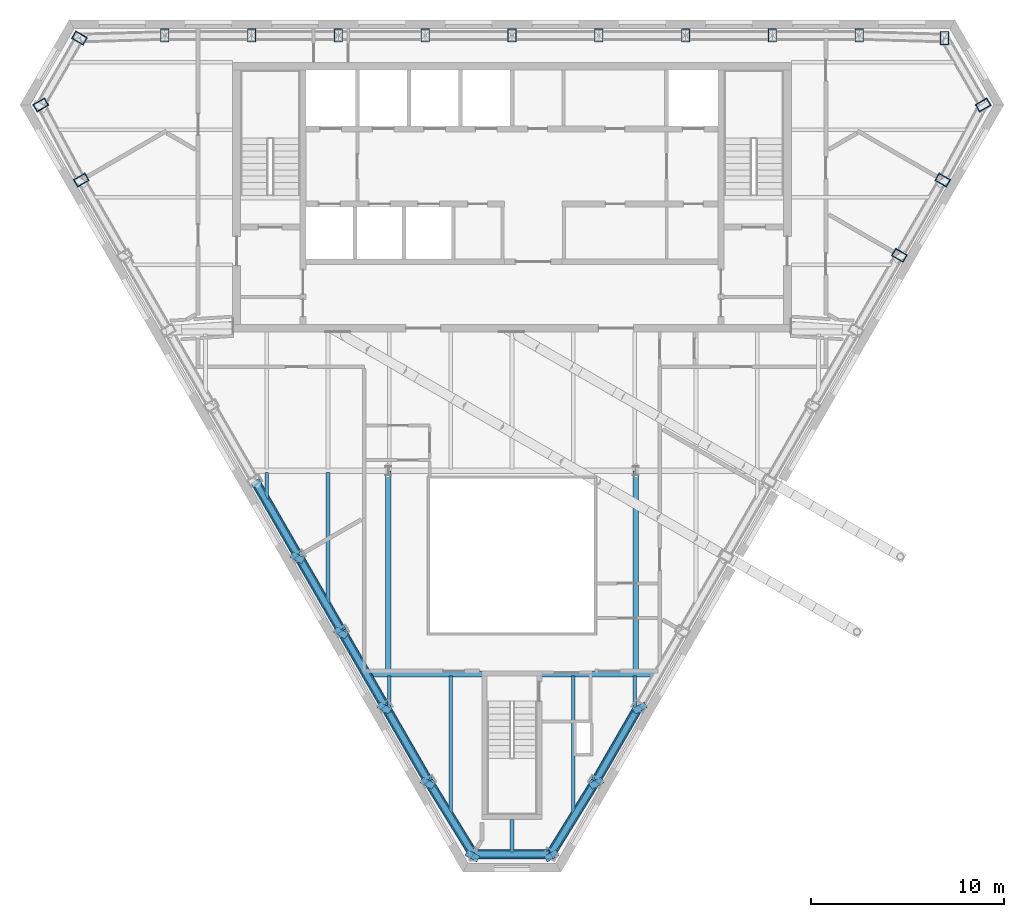
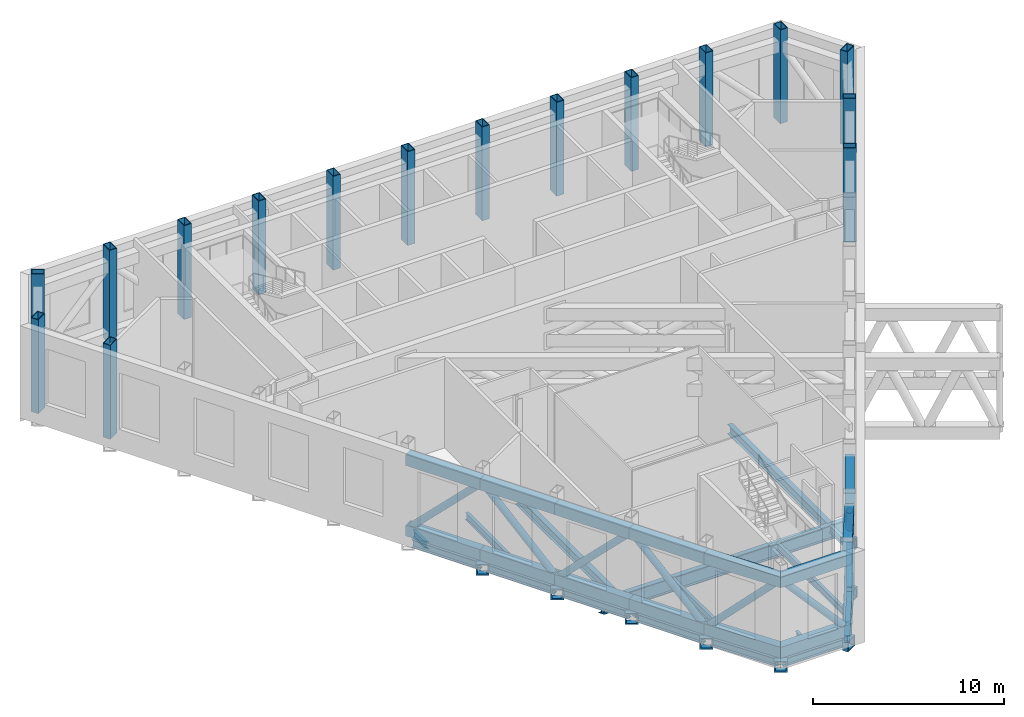
# One storey, part 2 of 14: 26 beams, 24 members, 16 columns.
"""IFC4 building model written with IfcOpenShell, lengths in metres."""

from ifc_helpers import new_model, si_unit, direction, frame, origin, origin_2d, place, context, subcontext, project, spatial, hollow_rectangle, hollow_circle, i_section, extrude, clip, halfspace, material, material_profile, profile_set, type_object, element, save


model = new_model("IFC4")

# Units and contexts
model_context = context("Model", 3, precision=1e-05, world=origin(), true_north=direction((0.0, 1.0)))
body_context = subcontext(model_context, "Body", "Model", "MODEL_VIEW")
ifc_project = project(units=[si_unit("LENGTHUNIT", "METRE"), si_unit("AREAUNIT", "SQUARE_METRE"), si_unit("VOLUMEUNIT", "CUBIC_METRE"), si_unit("PLANEANGLEUNIT", "RADIAN"), si_unit("MASSUNIT", "GRAM", prefix="KILO")], contexts=[model_context])

# Site, building, storey
site_placement = place(None, origin())
site = spatial("IfcSite", under=ifc_project, at=site_placement, CompositionType="ELEMENT")
building_placement = place(site_placement, origin())
building = spatial("IfcBuilding", under=site, at=building_placement, Name="Njiva Tower", CompositionType="ELEMENT")
storey_placement = place(building_placement, frame((0.0, 0.0, 292.2)))
storey = spatial("IfcBuildingStorey", under=building, at=storey_placement, Name="L67", CompositionType="ELEMENT", Elevation=292.2)

# Columns
ifc_material_1 = material(Name="Steel S355 J2", Category="steel")
ifc_material_profile_1 = material_profile(ifc_material_1, hollow_rectangle(XDim=0.45, YDim=0.7, WallThickness=0.04, at=origin_2d()), Name="BOX 700x450x40")
ifc_profile_set_1 = profile_set([ifc_material_profile_1], Name="Steel S355 J2")
column_type = type_object("IfcColumnType", Name="C15 Perimeter tube column BOX 700x450x40", PredefinedType="COLUMN", material=ifc_profile_set_1)
for number, where, z_axis, x_axis, name in (
    (1, (22.456, 19.267, 0.0), (0.0, 0.0, 1.0), (-1.0, 0.0, 0.0), "Perimeter tube column T5-C01"),
    (2, (18.026, 19.4, 0.0), (0.0, 0.0, 1.0), (-1.0, 0.0, 0.0), "Perimeter tube column T5-C02"),
    (3, (13.52, 19.4, 0.0), (0.0, 0.0, 1.0), (-1.0, 0.0, 0.0), "Perimeter tube column T5-C03"),
    (4, (9.013, 19.4, 0.0), (0.0, 0.0, 1.0), (-1.0, 0.0, 0.0), "Perimeter tube column T5-C04"),
    (5, (4.507, 19.4, 0.0), (0.0, 0.0, 1.0), (-1.0, 0.0, 0.0), "Perimeter tube column T5-C05"),
    (6, (0.0, 19.4, 0.0), (0.0, 0.0, 1.0), (-1.0, 0.0, 0.0), "Perimeter tube column T5-C06"),
    (7, (-4.507, 19.4, 0.0), (0.0, 0.0, 1.0), (-1.0, 0.0, 0.0), "Perimeter tube column T5-C07"),
    (8, (-9.013, 19.4, 0.0), (0.0, 0.0, 1.0), (-1.0, 0.0, 0.0), "Perimeter tube column T5-C08"),
    (9, (-13.52, 19.4, 0.0), (0.0, 0.0, 1.0), (-1.0, 0.0, 0.0), "Perimeter tube column T5-C09"),
    (10, (-18.026, 19.4, 0.0), (0.0, 0.0, 1.0), (-1.0, 0.0, 0.0), "Perimeter tube column T5-C10"),
    (11, (-22.456, 19.267, 0.0), (0.0, 0.0, 1.0), (-0.5, -0.866025403784, 0.0), "Perimeter tube column T5-C11"),
    (12, (-24.463, 15.792, 0.0), (0.0, 0.0, 1.0), (0.5, -0.866025403784, 0.0), "Perimeter tube column T5-C12"),
    (13, (-22.363, 11.889, 0.0), (0.0, 0.0, 1.0), (0.5, -0.866025403784, 0.0), "Perimeter tube column T5-C13"),
    (14, (20.11, 7.986, 0.0), (0.0, 0.0, 1.0), (0.5, 0.866025403784, 0.0), "Perimeter tube column T5-C31"),
    (15, (22.363, 11.889, 0.0), (0.0, 0.0, 1.0), (0.5, 0.866025403784, 0.0), "Perimeter tube column T5-C32"),
    (16, (24.463, 15.792, 0.0), (0.0, 0.0, 1.0), (-0.5, 0.866025403784, 0.0), "Perimeter tube column T5-C33"),
):
    element("IfcColumn", number, at=place(storey_placement, frame(where, z_axis=z_axis, x_axis=x_axis)), inside=storey, type_object=column_type, Name=name, PredefinedType="COLUMN", context=body_context, shape_type="SweptSolid", body=[
        extrude(hollow_rectangle(XDim=0.45, YDim=0.7, WallThickness=0.04, at=origin_2d()), origin(), (0.0, 0.0, 1.0), 6.0),
    ])

# Beams
ifc_material_profile_2 = material_profile(ifc_material_1, hollow_rectangle(XDim=0.7, YDim=0.7, WallThickness=0.08, at=origin_2d()), Name="BOX 700x700x80")
ifc_profile_set_2 = profile_set([ifc_material_profile_2], Name="Steel S355 J2")
beam_type_1 = type_object("IfcBeamType", Name="B19 Column jog beam BOX 700x700x80", PredefinedType="BEAM", material=ifc_profile_set_2)
for number, where, z_axis, x_axis, name in (
    (17, (-11.228, -7.856, -0.55), (0.496799306689, 0.867865455513, 0.0), (-0.867865455513, 0.496799306689, 0.0), "Column jog beam T5-B019"),
    (18, (-8.975, -11.759, -0.55), (0.496799306689, 0.867865455513, 0.0), (-0.867865455513, 0.496799306689, 0.0), "Column jog beam T5-B020"),
):
    element("IfcBeam", number, at=place(storey_placement, frame(where, z_axis=z_axis, x_axis=x_axis)), inside=storey, type_object=beam_type_1, Name=name, PredefinedType="BEAM", context=body_context, shape_type="SweptSolid", body=[
        extrude(hollow_rectangle(XDim=0.7, YDim=0.7, WallThickness=0.08, at=origin_2d()), origin(), (0.0, 0.0, 1.0), 0.3261),
    ])
beam_1_placement = place(storey_placement, frame((-6.72, -15.663, -0.55), z_axis=(0.488509809828, 0.872558402459, 0.0), x_axis=(-0.872558402459, 0.488509809828, 0.0)))
element("IfcBeam", 19, at=beam_1_placement, inside=storey, type_object=beam_type_1, Name="Column jog beam T5-B021", PredefinedType="BEAM", context=body_context, shape_type="SweptSolid", body=[
    extrude(hollow_rectangle(XDim=0.7, YDim=0.7, WallThickness=0.08, at=origin_2d()), origin(), (0.0, 0.0, 1.0), 0.3255),
])
beam_2_placement = place(storey_placement, frame((-4.466, -19.567, -0.55), z_axis=(0.487203149524, 0.873288664242, 0.0), x_axis=(-0.873288664242, 0.487203149524, 0.0)))
element("IfcBeam", 20, at=beam_2_placement, inside=storey, type_object=beam_type_1, Name="Column jog beam T5-B023", PredefinedType="BEAM", context=body_context, shape_type="SweptSolid", body=[
    extrude(hollow_rectangle(XDim=0.7, YDim=0.7, WallThickness=0.08, at=origin_2d()), origin(), (0.0, 0.0, 1.0), 0.3264),
])
for number, where, z_axis, x_axis, name in (
    (21, (-2.135, -23.338, -0.55), (0.480983596396, 0.876729593431, 0.0), (-0.876729593431, 0.480983596396, 0.0), "Column jog beam T5-B024"),
    (22, (2.135, -23.338, -0.55), (-0.480983596396, 0.876729593431, 0.0), (-0.876729593431, -0.480983596396, 0.0), "Column jog beam T5-B025"),
):
    element("IfcBeam", number, at=place(storey_placement, frame(where, z_axis=z_axis, x_axis=x_axis)), inside=storey, type_object=beam_type_1, Name=name, PredefinedType="BEAM", context=body_context, shape_type="SweptSolid", body=[
        extrude(hollow_rectangle(XDim=0.7, YDim=0.7, WallThickness=0.08, at=origin_2d()), origin(), (0.0, 0.0, 1.0), 0.3285),
    ])
beam_3_placement = place(storey_placement, frame((4.466, -19.567, -0.55), z_axis=(-0.487203149524, 0.873288664242, 0.0), x_axis=(-0.873288664242, -0.487203149524, 0.0)))
element("IfcBeam", 23, at=beam_3_placement, inside=storey, type_object=beam_type_1, Name="Column jog beam T5-B026", PredefinedType="BEAM", context=body_context, shape_type="SweptSolid", body=[
    extrude(hollow_rectangle(XDim=0.7, YDim=0.7, WallThickness=0.08, at=origin_2d()), origin(), (0.0, 0.0, 1.0), 0.3264),
])
beam_4_placement = place(storey_placement, frame((6.72, -15.663, -0.55), z_axis=(-0.488509809828, 0.872558402459, 0.0), x_axis=(-0.872558402459, -0.488509809828, 0.0)))
element("IfcBeam", 24, at=beam_4_placement, inside=storey, type_object=beam_type_1, Name="Column jog beam T5-B028", PredefinedType="BEAM", context=body_context, shape_type="SweptSolid", body=[
    extrude(hollow_rectangle(XDim=0.7, YDim=0.7, WallThickness=0.08, at=origin_2d()), origin(), (0.0, 0.0, 1.0), 0.3255),
])
ifc_material_profile_3 = material_profile(ifc_material_1, i_section(OverallWidth=0.3, OverallDepth=0.59, WebThickness=0.013, FlangeThickness=0.025, at=origin_2d()), Name="HEA 600")
ifc_profile_set_3 = profile_set([ifc_material_profile_3], Name="Steel S355 J2")
beam_type_2 = type_object("IfcBeamType", Name="B30 Long-span atrium trimmer beam HEA 600", PredefinedType="BEAM", material=ifc_profile_set_3)
for number, where, z_axis, x_axis, name in (
    (25, (6.42, -13.649, -0.495), (0.0, 1.0, 0.0), (-1.0, 0.0, 0.0), "Long-span atrium trimmer beam T5-B060"),
    (26, (-6.42, -3.2, -0.495), (0.0, -1.0, 0.0), (1.0, 0.0, 0.0), "Long-span atrium trimmer beam T5-B058"),
):
    element("IfcBeam", number, at=place(storey_placement, frame(where, z_axis=z_axis, x_axis=x_axis)), inside=storey, type_object=beam_type_2, Name=name, PredefinedType="BEAM", context=body_context, shape_type="SweptSolid", body=[
        extrude(i_section(OverallWidth=0.3, OverallDepth=0.59, WebThickness=0.013, FlangeThickness=0.025, at=origin_2d()), origin(), (0.0, 0.0, 1.0), 10.449),
    ])
ifc_material_profile_4 = material_profile(ifc_material_1, i_section(OverallWidth=0.3, OverallDepth=0.49, WebThickness=0.012, FlangeThickness=0.023, at=origin_2d()), Name="HEA 500")
ifc_profile_set_4 = profile_set([ifc_material_profile_4], Name="Steel S355 J2")
beam_type_3 = type_object("IfcBeamType", Name="B48 Short-span spandrel beam HEA 500", PredefinedType="SPANDREL", material=ifc_profile_set_4)
beam_5_placement = place(storey_placement, frame((-13.198, -3.984, -0.445), z_axis=(0.499961250474, -0.866047774678, 0.0), x_axis=(0.866047774678, 0.499961250474, 0.0)))
element("IfcBeam", 27, at=beam_5_placement, inside=storey, type_object=beam_type_3, Name="Short-span spandrel beam T5-B070", PredefinedType="SPANDREL", context=body_context, shape_type="SweptSolid", body=[
    extrude(i_section(OverallWidth=0.3, OverallDepth=0.49, WebThickness=0.012, FlangeThickness=0.023, at=origin_2d()), origin(), (0.0, 0.0, 1.0), 4.1083),
])
beam_6_placement = place(storey_placement, frame((-10.944, -7.888, -0.445), z_axis=(0.49988405051, -0.866092336905, 0.0), x_axis=(0.866092336905, 0.49988405051, 0.0)))
element("IfcBeam", 28, at=beam_6_placement, inside=storey, type_object=beam_type_3, Name="Short-span spandrel beam T5-B071", PredefinedType="SPANDREL", context=body_context, shape_type="SweptSolid", body=[
    extrude(i_section(OverallWidth=0.3, OverallDepth=0.49, WebThickness=0.012, FlangeThickness=0.023, at=origin_2d()), origin(), (0.0, 0.0, 1.0), 4.107),
])
for number, where, z_axis, x_axis, name in (
    (29, (-8.691, -11.791, -0.445), (0.499961250474, -0.866047774678, 0.0), (0.866047774678, 0.499961250474, 0.0), "Short-span spandrel beam T5-B073"),
    (30, (-6.437, -15.695, -0.445), (0.499961250474, -0.866047774678, 0.0), (0.866047774678, 0.499961250474, 0.0), "Short-span spandrel beam T5-B074"),
):
    element("IfcBeam", number, at=place(storey_placement, frame(where, z_axis=z_axis, x_axis=x_axis)), inside=storey, type_object=beam_type_3, Name=name, PredefinedType="SPANDREL", context=body_context, shape_type="SweptSolid", body=[
        extrude(i_section(OverallWidth=0.3, OverallDepth=0.49, WebThickness=0.012, FlangeThickness=0.023, at=origin_2d()), origin(), (0.0, 0.0, 1.0), 4.1083),
    ])
beam_7_placement = place(storey_placement, frame((-4.173, -19.598, -0.445), z_axis=(0.52586173925, -0.850570062483, 0.0), x_axis=(0.850570062483, 0.52586173925, 0.0)))
element("IfcBeam", 31, at=beam_7_placement, inside=storey, type_object=beam_type_3, Name="Short-span spandrel beam T5-B076", PredefinedType="SPANDREL", context=body_context, shape_type="Clipping", body=[
    clip(extrude(i_section(OverallWidth=0.3, OverallDepth=0.49, WebThickness=0.012, FlangeThickness=0.023, at=origin_2d()), origin(), (0.0, 0.0, 1.0), 4.095), halfspace(frame((-0.0267, 0.0, 3.9655), z_axis=(-0.52586173925, 0.0, 0.850570062483), x_axis=(0.0, 1.0, 0.0)), False)),
])
beam_8_placement = place(storey_placement, frame((-1.906, -23.103, -0.445), z_axis=(1.0, 0.0, 0.0), x_axis=(0.0, 1.0, 0.0)))
element("IfcBeam", 32, at=beam_8_placement, inside=storey, type_object=beam_type_3, Name="Short-span spandrel beam T5-B077", PredefinedType="SPANDREL", context=body_context, shape_type="Clipping", body=[
    clip(extrude(i_section(OverallWidth=0.3, OverallDepth=0.49, WebThickness=0.012, FlangeThickness=0.023, at=origin_2d()), origin(), (0.0, 0.0, 1.0), 3.877), halfspace(frame((-0.0255, 0.0, 3.756), z_axis=(-0.499998009787, 0.0, 0.866026552831), x_axis=(0.0, 1.0, 0.0)), False)),
])
beam_9_placement = place(storey_placement, frame((2.057, -23.021, -0.445), z_axis=(0.525815559742, 0.850598611058, 0.0), x_axis=(-0.850598611058, 0.525815559742, 0.0)))
element("IfcBeam", 33, at=beam_9_placement, inside=storey, type_object=beam_type_3, Name="Short-span spandrel beam T5-B079", PredefinedType="SPANDREL", context=body_context, shape_type="SweptSolid", body=[
    extrude(i_section(OverallWidth=0.3, OverallDepth=0.49, WebThickness=0.012, FlangeThickness=0.023, at=origin_2d()), origin(), (0.0, 0.0, 1.0), 4.0242),
])
beam_10_placement = place(storey_placement, frame((4.383, -19.253, -0.445), z_axis=(0.499961250474, 0.866047774678, 0.0), x_axis=(-0.866047774678, 0.499961250474, 0.0)))
element("IfcBeam", 34, at=beam_10_placement, inside=storey, type_object=beam_type_3, Name="Short-span spandrel beam T5-B080", PredefinedType="SPANDREL", context=body_context, shape_type="SweptSolid", body=[
    extrude(i_section(OverallWidth=0.3, OverallDepth=0.49, WebThickness=0.012, FlangeThickness=0.023, at=origin_2d()), origin(), (0.0, 0.0, 1.0), 4.1083),
])
ifc_material_profile_5 = material_profile(ifc_material_1, i_section(OverallWidth=0.19, OverallDepth=0.45, WebThickness=0.0094, FlangeThickness=0.0146, at=origin_2d()), Name="IPE 450")
ifc_profile_set_5 = profile_set([ifc_material_profile_5], Name="Steel S355 J2")
beam_type_4 = type_object("IfcBeamType", Name="B52 Short-span floor joist IPE 450", PredefinedType="JOIST", material=ifc_profile_set_5)
beam_11_placement = place(storey_placement, frame((-12.733, -3.3, -0.425), z_axis=(0.0, -1.0, 0.0), x_axis=(1.0, 0.0, 0.0)))
element("IfcBeam", 35, at=beam_11_placement, inside=storey, type_object=beam_type_4, Name="Short-span floor joist T5-B038", PredefinedType="JOIST", context=body_context, shape_type="Clipping", body=[
    clip(extrude(i_section(OverallWidth=0.19, OverallDepth=0.45, WebThickness=0.0094, FlangeThickness=0.0146, at=origin_2d()), origin(), (0.0, 0.0, 1.0), 1.475), halfspace(frame((-0.0436, 0.0, 1.2149), z_axis=(-0.866026552831, 0.0, 0.499998009787), x_axis=(0.0, 1.0, 0.0)), False)),
])
beam_12_placement = place(storey_placement, frame((-6.367, -13.851, -0.425), z_axis=(0.0, -1.0, 0.0), x_axis=(1.0, 0.0, 0.0)))
element("IfcBeam", 36, at=beam_12_placement, inside=storey, type_object=beam_type_4, Name="Short-span floor joist T5-B042", PredefinedType="JOIST", context=body_context, shape_type="Clipping", body=[
    clip(extrude(i_section(OverallWidth=0.19, OverallDepth=0.45, WebThickness=0.0094, FlangeThickness=0.0146, at=origin_2d()), origin(), (0.0, 0.0, 1.0), 1.951), halfspace(frame((-0.043, 0.0, 1.6913), z_axis=(-0.866026552831, 0.0, 0.499998009787), x_axis=(0.0, 1.0, 0.0)), False)),
])
beam_13_placement = place(storey_placement, frame((0.0, -21.3, -0.425), z_axis=(0.0, -1.0, 0.0), x_axis=(1.0, 0.0, 0.0)))
element("IfcBeam", 37, at=beam_13_placement, inside=storey, type_object=beam_type_4, Name="Short-span floor joist T5-B046", PredefinedType="JOIST", context=body_context, shape_type="SweptSolid", body=[
    extrude(i_section(OverallWidth=0.19, OverallDepth=0.45, WebThickness=0.0094, FlangeThickness=0.0146, at=origin_2d()), origin(), (0.0, 0.0, 1.0), 1.704),
])
beam_14_placement = place(storey_placement, frame((6.367, -13.851, -0.425), z_axis=(0.0, -1.0, 0.0), x_axis=(1.0, 0.0, 0.0)))
element("IfcBeam", 38, at=beam_14_placement, inside=storey, type_object=beam_type_4, Name="Short-span floor joist T5-B050", PredefinedType="JOIST", context=body_context, shape_type="Clipping", body=[
    clip(extrude(i_section(OverallWidth=0.19, OverallDepth=0.45, WebThickness=0.0094, FlangeThickness=0.0146, at=origin_2d()), origin(), (0.0, 0.0, 1.0), 1.951), halfspace(frame((0.043, 0.0, 1.6913), z_axis=(0.866026552831, 0.0, 0.499998009787), x_axis=(0.0, 1.0, 0.0)), False)),
])
ifc_material_profile_6 = material_profile(ifc_material_1, i_section(OverallWidth=0.19, OverallDepth=0.45, WebThickness=0.0094, FlangeThickness=0.0146, at=origin_2d()), Name="IPE 450")
ifc_profile_set_6 = profile_set([ifc_material_profile_6], Name="Steel S355 J2")
beam_type_5 = type_object("IfcBeamType", Name="B53 Floor joist IPE 450", PredefinedType="JOIST", material=ifc_profile_set_6)
beam_15_placement = place(storey_placement, frame((-9.55, -3.3, -0.425), z_axis=(0.0, -1.0, 0.0), x_axis=(1.0, 0.0, 0.0)))
element("IfcBeam", 39, at=beam_15_placement, inside=storey, type_object=beam_type_5, Name="Floor joist T5-B040", PredefinedType="JOIST", context=body_context, shape_type="Clipping", body=[
    clip(extrude(i_section(OverallWidth=0.19, OverallDepth=0.45, WebThickness=0.0094, FlangeThickness=0.0146, at=origin_2d()), origin(), (0.0, 0.0, 1.0), 6.989), halfspace(frame((-0.0433, 0.0, 6.7286), z_axis=(-0.866026552831, 0.0, 0.499998009787), x_axis=(0.0, 1.0, 0.0)), False)),
])
beam_16_placement = place(storey_placement, frame((-3.183, -13.851, -0.425), z_axis=(0.0, -1.0, 0.0), x_axis=(1.0, 0.0, 0.0)))
element("IfcBeam", 40, at=beam_16_placement, inside=storey, type_object=beam_type_5, Name="Floor joist T5-B044", PredefinedType="JOIST", context=body_context, shape_type="Clipping", body=[
    clip(extrude(i_section(OverallWidth=0.19, OverallDepth=0.45, WebThickness=0.0094, FlangeThickness=0.0146, at=origin_2d()), origin(), (0.0, 0.0, 1.0), 7.332), halfspace(frame((-0.0429, 0.0, 7.0892), z_axis=(-0.850615955969, 0.0, 0.525787500281), x_axis=(0.0, 1.0, 0.0)), False)),
])
beam_17_placement = place(storey_placement, frame((3.183, -13.851, -0.425), z_axis=(0.0, -1.0, 0.0), x_axis=(1.0, 0.0, 0.0)))
element("IfcBeam", 41, at=beam_17_placement, inside=storey, type_object=beam_type_5, Name="Floor joist T5-B048", PredefinedType="JOIST", context=body_context, shape_type="Clipping", body=[
    clip(extrude(i_section(OverallWidth=0.19, OverallDepth=0.45, WebThickness=0.0094, FlangeThickness=0.0146, at=origin_2d()), origin(), (0.0, 0.0, 1.0), 7.332), halfspace(frame((0.0429, 0.0, 7.0892), z_axis=(0.850615955969, 0.0, 0.525787500281), x_axis=(0.0, 1.0, 0.0)), False)),
])
ifc_material_profile_7 = material_profile(ifc_material_1, i_section(OverallWidth=0.302, OverallDepth=0.91, WebThickness=0.021, FlangeThickness=0.04, at=origin_2d()), Name="HEM 900")
ifc_profile_set_7 = profile_set([ifc_material_profile_7], Name="Steel S355 J2")
beam_type_6 = type_object("IfcBeamType", Name="B8 Long-span atrium trimmer beam HEM 900", PredefinedType="BEAM", material=ifc_profile_set_7)
beam_18_placement = place(storey_placement, frame((-7.552, -13.75, -0.655), z_axis=(1.0, 0.0, 0.0), x_axis=(0.0, 1.0, 0.0)))
element("IfcBeam", 42, at=beam_18_placement, inside=storey, type_object=beam_type_6, Name="Long-span atrium trimmer beam T5-B057", PredefinedType="BEAM", context=body_context, shape_type="Clipping", body=[
    clip(clip(extrude(i_section(OverallWidth=0.302, OverallDepth=0.91, WebThickness=0.021, FlangeThickness=0.04, at=origin_2d()), origin(), (0.0, 0.0, 1.0), 15.104), halfspace(frame((-0.025, 0.0, 0.1217), z_axis=(-0.499998009787, 0.0, -0.866026552831), x_axis=(0.0, -1.0, 0.0)), False)), halfspace(frame((-0.025, 0.0, 14.9823), z_axis=(-0.499998009787, 0.0, 0.866026552831), x_axis=(0.0, 1.0, 0.0)), False)),
])

# Members
ifc_material_profile_8 = material_profile(ifc_material_1, hollow_rectangle(XDim=0.5, YDim=0.7, WallThickness=0.04, at=origin_2d()), Name="BOX 700x500x40")
ifc_profile_set_8 = profile_set([ifc_material_profile_8], Name="Steel S355 J2")
member_type_1 = type_object("IfcMemberType", Name="TC2 Belt truss chord BOX 700x500x40", PredefinedType="CHORD", material=ifc_profile_set_8)
for number, where, z_axis, x_axis, name in (
    (43, (-13.35, -3.722, 0.35), (0.50010015525, -0.865967571402, 0.0), (0.865967571402, 0.50010015525, 0.0), "Belt truss chord T5-TR049"),
    (44, (-13.35, -3.722, 4.86), (0.50010015525, -0.865967571402, 0.0), (0.865967571402, 0.50010015525, 0.0), "Belt truss chord T5-TR050"),
):
    element("IfcMember", number, at=place(storey_placement, frame(where, z_axis=z_axis, x_axis=x_axis)), inside=storey, type_object=member_type_1, Name=name, PredefinedType="CHORD", context=body_context, shape_type="SweptSolid", body=[
        extrude(hollow_rectangle(XDim=0.5, YDim=0.7, WallThickness=0.04, at=origin_2d()), origin(), (0.0, 0.0, 1.0), 4.5071),
    ])
for number, where, z_axis, x_axis, name in (
    (45, (-11.096, -7.625, 0.35), (0.499933745558, -0.866063652425, 0.0), (0.866063652425, 0.499933745558, 0.0), "Belt truss chord T5-TR052"),
    (46, (-11.096, -7.625, 4.86), (0.499933745558, -0.866063652425, 0.0), (0.866063652425, 0.499933745558, 0.0), "Belt truss chord T5-TR053"),
    (47, (-8.843, -11.528, 0.35), (0.499933745558, -0.866063652425, 0.0), (0.866063652425, 0.499933745558, 0.0), "Belt truss chord T5-TR055"),
    (48, (-8.843, -11.528, 4.86), (0.499933745558, -0.866063652425, 0.0), (0.866063652425, 0.499933745558, 0.0), "Belt truss chord T5-TR056"),
):
    element("IfcMember", number, at=place(storey_placement, frame(where, z_axis=z_axis, x_axis=x_axis)), inside=storey, type_object=member_type_1, Name=name, PredefinedType="CHORD", context=body_context, shape_type="SweptSolid", body=[
        extrude(hollow_rectangle(XDim=0.5, YDim=0.7, WallThickness=0.04, at=origin_2d()), origin(), (0.0, 0.0, 1.0), 4.5066),
    ])
member_1_placement = place(storey_placement, frame((-6.59, -15.431, 0.35), z_axis=(0.50010015525, -0.865967571402, 0.0), x_axis=(0.865967571402, 0.50010015525, 0.0)))
element("IfcMember", 49, at=member_1_placement, inside=storey, type_object=member_type_1, Name="Belt truss chord T5-TR058", PredefinedType="CHORD", context=body_context, shape_type="Clipping", body=[
    clip(extrude(hollow_rectangle(XDim=0.5, YDim=0.7, WallThickness=0.04, at=origin_2d()), origin(), (0.0, 0.0, 1.0), 4.5411), halfspace(frame((0.0, -292.55, 4.5071), z_axis=(0.01498779882, 0.0, 0.999887676635), x_axis=(0.0, 1.0, 0.0)), False)),
])
member_2_placement = place(storey_placement, frame((-6.59, -15.431, 4.86), z_axis=(0.50010015525, -0.865967571402, 0.0), x_axis=(0.865967571402, 0.50010015525, 0.0)))
element("IfcMember", 50, at=member_2_placement, inside=storey, type_object=member_type_1, Name="Belt truss chord T5-TR059", PredefinedType="CHORD", context=body_context, shape_type="Clipping", body=[
    clip(extrude(hollow_rectangle(XDim=0.5, YDim=0.7, WallThickness=0.04, at=origin_2d()), origin(), (0.0, 0.0, 1.0), 4.5411), halfspace(frame((0.0, -297.06, 4.5071), z_axis=(0.01498779882, 0.0, 0.999887676635), x_axis=(0.0, 1.0, 0.0)), False)),
])
member_3_placement = place(storey_placement, frame((-4.3539, -19.3051, 0.35), z_axis=(0.52583397253, -0.850587228527, 0.0), x_axis=(0.850587228527, 0.52583397253, 0.0)))
element("IfcMember", 51, at=member_3_placement, inside=storey, type_object=member_type_1, Name="Belt truss chord T5-TR061", PredefinedType="CHORD", context=body_context, shape_type="Clipping", body=[
    clip(clip(extrude(hollow_rectangle(XDim=0.5, YDim=0.7, WallThickness=0.04, at=origin_2d()), origin(), (0.0, 0.0, 1.0), 4.6341), halfspace(frame((0.0, -292.55, 0.034), z_axis=(0.014991932647, 0.0, -0.999887614663), x_axis=(0.0, -1.0, 0.0)), False)), halfspace(frame((0.0, -292.55, 4.4651), z_axis=(0.486912508008, 0.0, 0.873450748208), x_axis=(0.0, 1.0, 0.0)), False)),
])
member_4_placement = place(storey_placement, frame((-4.3539, -19.3051, 4.86), z_axis=(0.52583397253, -0.850587228527, 0.0), x_axis=(0.850587228527, 0.52583397253, 0.0)))
element("IfcMember", 52, at=member_4_placement, inside=storey, type_object=member_type_1, Name="Belt truss chord T5-TR062", PredefinedType="CHORD", context=body_context, shape_type="Clipping", body=[
    clip(clip(extrude(hollow_rectangle(XDim=0.5, YDim=0.7, WallThickness=0.04, at=origin_2d()), origin(), (0.0, 0.0, 1.0), 4.6341), halfspace(frame((0.0, -297.06, 0.034), z_axis=(0.014991932647, 0.0, -0.999887614663), x_axis=(0.0, -1.0, 0.0)), False)), halfspace(frame((0.0, -297.06, 4.4651), z_axis=(0.486912508008, 0.0, 0.873450748208), x_axis=(0.0, 1.0, 0.0)), False)),
])
member_5_placement = place(storey_placement, frame((-2.175, -23.103, 0.35), z_axis=(1.0, 0.0, 0.0), x_axis=(0.0, 1.0, 0.0)))
element("IfcMember", 53, at=member_5_placement, inside=storey, type_object=member_type_1, Name="Belt truss chord T5-TR064", PredefinedType="CHORD", context=body_context, shape_type="Clipping", body=[
    clip(clip(extrude(hollow_rectangle(XDim=0.5, YDim=0.7, WallThickness=0.04, at=origin_2d()), origin(), (0.0, 0.0, 1.0), 4.35), halfspace(frame((0.0, -292.55, 0.169), z_axis=(0.486910912813, 0.0, -0.873451637461), x_axis=(0.0, -1.0, 0.0)), False)), halfspace(frame((0.0, -292.55, 4.181), z_axis=(0.486910912813, 0.0, 0.873451637461), x_axis=(0.0, 1.0, 0.0)), False)),
])
member_6_placement = place(storey_placement, frame((-2.175, -23.103, 4.86), z_axis=(1.0, 0.0, 0.0), x_axis=(0.0, 1.0, 0.0)))
element("IfcMember", 54, at=member_6_placement, inside=storey, type_object=member_type_1, Name="Belt truss chord T5-TR065", PredefinedType="CHORD", context=body_context, shape_type="Clipping", body=[
    clip(clip(extrude(hollow_rectangle(XDim=0.5, YDim=0.7, WallThickness=0.04, at=origin_2d()), origin(), (0.0, 0.0, 1.0), 4.35), halfspace(frame((0.0, -297.06, 0.169), z_axis=(0.486910912813, 0.0, -0.873451637461), x_axis=(0.0, -1.0, 0.0)), False)), halfspace(frame((0.0, -297.06, 4.181), z_axis=(0.486910912813, 0.0, 0.873451637461), x_axis=(0.0, 1.0, 0.0)), False)),
])
member_7_placement = place(storey_placement, frame((1.9171, -23.2467, 0.35), z_axis=(0.52583397253, 0.850587228527, 0.0), x_axis=(-0.850587228527, 0.52583397253, 0.0)))
element("IfcMember", 55, at=member_7_placement, inside=storey, type_object=member_type_1, Name="Belt truss chord T5-TR067", PredefinedType="CHORD", context=body_context, shape_type="Clipping", body=[
    clip(clip(extrude(hollow_rectangle(XDim=0.5, YDim=0.7, WallThickness=0.04, at=origin_2d()), origin(), (0.0, 0.0, 1.0), 4.6341), halfspace(frame((0.0, -292.55, 0.169), z_axis=(0.486912508008, 0.0, -0.873450748208), x_axis=(0.0, -1.0, 0.0)), False)), halfspace(frame((0.0, -292.55, 4.6001), z_axis=(0.014991932647, 0.0, 0.999887614663), x_axis=(0.0, 1.0, 0.0)), False)),
])
member_8_placement = place(storey_placement, frame((1.9171, -23.2467, 4.86), z_axis=(0.52583397253, 0.850587228527, 0.0), x_axis=(-0.850587228527, 0.52583397253, 0.0)))
element("IfcMember", 56, at=member_8_placement, inside=storey, type_object=member_type_1, Name="Belt truss chord T5-TR068", PredefinedType="CHORD", context=body_context, shape_type="Clipping", body=[
    clip(clip(extrude(hollow_rectangle(XDim=0.5, YDim=0.7, WallThickness=0.04, at=origin_2d()), origin(), (0.0, 0.0, 1.0), 4.6341), halfspace(frame((0.0, -297.06, 0.169), z_axis=(0.486912508008, 0.0, -0.873450748208), x_axis=(0.0, -1.0, 0.0)), False)), halfspace(frame((0.0, -297.06, 4.6001), z_axis=(0.014991932647, 0.0, 0.999887614663), x_axis=(0.0, 1.0, 0.0)), False)),
])
member_9_placement = place(storey_placement, frame((4.319, -19.3634, 0.35), z_axis=(0.50010015525, 0.865967571402, 0.0), x_axis=(-0.865967571402, 0.50010015525, 0.0)))
element("IfcMember", 57, at=member_9_placement, inside=storey, type_object=member_type_1, Name="Belt truss chord T5-TR070", PredefinedType="CHORD", context=body_context, shape_type="Clipping", body=[
    clip(extrude(hollow_rectangle(XDim=0.5, YDim=0.7, WallThickness=0.04, at=origin_2d()), origin(), (0.0, 0.0, 1.0), 4.5411), halfspace(frame((0.0, -292.55, 0.034), z_axis=(0.01498779882, 0.0, -0.999887676635), x_axis=(0.0, -1.0, 0.0)), False)),
])
member_10_placement = place(storey_placement, frame((4.319, -19.3634, 4.86), z_axis=(0.50010015525, 0.865967571402, 0.0), x_axis=(-0.865967571402, 0.50010015525, 0.0)))
element("IfcMember", 58, at=member_10_placement, inside=storey, type_object=member_type_1, Name="Belt truss chord T5-TR071", PredefinedType="CHORD", context=body_context, shape_type="Clipping", body=[
    clip(extrude(hollow_rectangle(XDim=0.5, YDim=0.7, WallThickness=0.04, at=origin_2d()), origin(), (0.0, 0.0, 1.0), 4.5411), halfspace(frame((0.0, -297.06, 0.034), z_axis=(0.01498779882, 0.0, -0.999887676635), x_axis=(0.0, -1.0, 0.0)), False)),
])
ifc_material_2 = material(Name="Steel S355 J2H", Category="steel")
ifc_material_profile_9 = material_profile(ifc_material_2, hollow_circle(Radius=0.2032, WallThickness=0.016, at=origin_2d()), Name="CHS 406.4x16")
ifc_profile_set_9 = profile_set([ifc_material_profile_9], Name="Steel S355 J2H")
member_type_2 = type_object("IfcMemberType", Name="TD2 Belt truss diagonal CHS 406.4x16", PredefinedType="BRACE", material=ifc_profile_set_9)
member_11_placement = place(storey_placement, frame((-13.4331, -3.5781, 0.1838), z_axis=(0.353510352654, -0.612134386162, 0.707334379091), x_axis=(0.865967571402, 0.50010015525, 0.0)))
element("IfcMember", 59, at=member_11_placement, inside=storey, type_object=member_type_2, Name="Belt truss diagonal T5-TR051", PredefinedType="BRACE", context=body_context, shape_type="Clipping", body=[
    clip(clip(extrude(hollow_circle(Radius=0.2032, WallThickness=0.016, at=origin_2d()), origin(), (0.0, 0.0, 1.0), 6.8461), halfspace(frame((13.422, -2.2022, 2.9165), z_axis=(0.0, -0.706879110001, -0.707334379091), x_axis=(0.0, -0.707334379091, 0.706879110001)), False)), halfspace(frame((13.422, 0.5051, 5.6256), z_axis=(0.0, 0.706879110001, 0.707334379091), x_axis=(0.0, 0.707334379091, -0.706879110001)), False)),
])
member_12_placement = place(storey_placement, frame((-11.179, -7.4811, 5.0262), z_axis=(0.353373104189, -0.612168320306, -0.707373590721), x_axis=(0.866063652425, 0.499933745558, 0.0)))
element("IfcMember", 60, at=member_12_placement, inside=storey, type_object=member_type_2, Name="Belt truss diagonal T5-TR054", PredefinedType="BRACE", context=body_context, shape_type="Clipping", body=[
    clip(clip(extrude(hollow_circle(Radius=0.2032, WallThickness=0.016, at=origin_2d()), origin(), (0.0, 0.0, 1.0), 6.8457), halfspace(frame((13.4218, -0.9876, -0.2712), z_axis=(0.0, 0.70683987094, -0.707373590721), x_axis=(0.0, -0.707373590721, -0.70683987094)), False)), halfspace(frame((13.4218, -3.6948, 2.438), z_axis=(0.0, -0.70683987094, 0.707373590721), x_axis=(0.0, 0.707373590721, 0.70683987094)), False)),
])
member_13_placement = place(storey_placement, frame((-8.926, -11.3841, 0.1838), z_axis=(0.353373104189, -0.612168320306, 0.707373590721), x_axis=(0.866063652425, 0.499933745558, 0.0)))
element("IfcMember", 61, at=member_13_placement, inside=storey, type_object=member_type_2, Name="Belt truss diagonal T5-TR057", PredefinedType="BRACE", context=body_context, shape_type="Clipping", body=[
    clip(clip(extrude(hollow_circle(Radius=0.2032, WallThickness=0.016, at=origin_2d()), origin(), (0.0, 0.0, 1.0), 6.8457), halfspace(frame((13.4218, 4.1755, -3.4567), z_axis=(0.0, -0.70683987094, -0.707373590721), x_axis=(0.0, -0.707373590721, 0.70683987094)), False)), halfspace(frame((13.4218, 6.8827, -0.7475), z_axis=(0.0, 0.70683987094, 0.707373590721), x_axis=(0.0, 0.707373590721, -0.70683987094)), False)),
])
member_14_placement = place(storey_placement, frame((-6.6731, -15.2871, 5.0262), z_axis=(0.353510352654, -0.612134386162, -0.707334379091), x_axis=(0.865967571402, 0.50010015525, 0.0)))
element("IfcMember", 62, at=member_14_placement, inside=storey, type_object=member_type_2, Name="Belt truss diagonal T5-TR060", PredefinedType="BRACE", context=body_context, shape_type="Clipping", body=[
    clip(clip(extrude(hollow_circle(Radius=0.2032, WallThickness=0.016, at=origin_2d()), origin(), (0.0, 0.0, 1.0), 6.8461), halfspace(frame((13.4238, -7.3611, -6.6407), z_axis=(0.0, 0.706879110001, -0.707334379091), x_axis=(0.0, -0.707334379091, -0.706879110001)), False)), halfspace(frame((13.4238, -10.0685, -3.9316), z_axis=(0.0, -0.706879110001, 0.707334379091), x_axis=(0.0, 0.707334379091, 0.706879110001)), False)),
])
member_15_placement = place(storey_placement, frame((-4.4211, -19.1963, 0.1852), z_axis=(0.368523473508, -0.59612230543, 0.713322259881), x_axis=(0.850587228527, 0.52583397253, 0.0)))
element("IfcMember", 63, at=member_15_placement, inside=storey, type_object=member_type_2, Name="Belt truss diagonal T5-TR063", PredefinedType="BRACE", context=body_context, shape_type="Clipping", body=[
    clip(clip(extrude(hollow_circle(Radius=0.2032, WallThickness=0.016, at=origin_2d()), origin(), (0.0, 0.0, 1.0), 6.7845), halfspace(frame((13.8546, 10.3427, -9.454), z_axis=(0.0, -0.700836181685, -0.713322259881), x_axis=(0.0, -0.713322259881, 0.700836181685)), False)), halfspace(frame((13.8546, 13.0269, -6.722), z_axis=(0.0, 0.700836181685, 0.713322259881), x_axis=(0.0, 0.713322259881, -0.700836181685)), False)),
])
member_16_placement = place(storey_placement, frame((-2.1469, -23.103, 5.0184), z_axis=(0.664651705495, 0.0, -0.747153337932), x_axis=(0.0, 1.0, 0.0)))
element("IfcMember", 64, at=member_16_placement, inside=storey, type_object=member_type_2, Name="Belt truss diagonal T5-TR066", PredefinedType="BRACE", context=body_context, shape_type="Clipping", body=[
    clip(clip(extrude(hollow_circle(Radius=0.2032, WallThickness=0.016, at=origin_2d()), origin(), (0.0, 0.0, 1.0), 6.4602), halfspace(frame((23.103, 1.2728, 1.7993), z_axis=(0.0, 0.664651705495, -0.747153337932), x_axis=(0.0, -0.747153337932, -0.664651705495)), False)), halfspace(frame((23.103, -1.2728, 4.6609), z_axis=(0.0, -0.664651705495, 0.747153337932), x_axis=(0.0, 0.747153337932, 0.664651705495)), False)),
])
member_17_placement = place(storey_placement, frame((1.9209, -23.2407, 0.1852), z_axis=(0.368523473508, 0.59612230543, 0.713322259881), x_axis=(-0.850587228527, 0.52583397253, 0.0)))
element("IfcMember", 65, at=member_17_placement, inside=storey, type_object=member_type_2, Name="Belt truss diagonal T5-TR069", PredefinedType="BRACE", context=body_context, shape_type="Clipping", body=[
    clip(clip(extrude(hollow_circle(Radius=0.2032, WallThickness=0.016, at=origin_2d()), origin(), (0.0, 0.0, 1.0), 6.7845), halfspace(frame((13.8546, -13.0269, 13.5065), z_axis=(0.0, -0.700836181685, -0.713322259881), x_axis=(0.0, -0.713322259881, 0.700836181685)), False)), halfspace(frame((13.8546, -10.3427, 16.2385), z_axis=(0.0, 0.700836181685, 0.713322259881), x_axis=(0.0, 0.713322259881, -0.700836181685)), False)),
])
member_18_placement = place(storey_placement, frame((4.2529, -19.4779, 5.0262), z_axis=(0.353510352654, 0.612134386162, -0.707334379091), x_axis=(-0.865967571402, 0.50010015525, 0.0)))
element("IfcMember", 66, at=member_18_placement, inside=storey, type_object=member_type_2, Name="Belt truss diagonal T5-TR072", PredefinedType="BRACE", context=body_context, shape_type="Clipping", body=[
    clip(clip(extrude(hollow_circle(Radius=0.2032, WallThickness=0.016, at=origin_2d()), origin(), (0.0, 0.0, 1.0), 6.8461), halfspace(frame((13.4238, 10.0685, 10.7777), z_axis=(0.0, 0.706879110001, -0.707334379091), x_axis=(0.0, -0.707334379091, -0.706879110001)), False)), halfspace(frame((13.4238, 7.3611, 13.4868), z_axis=(0.0, -0.706879110001, 0.707334379091), x_axis=(0.0, 0.707334379091, 0.706879110001)), False)),
])

save(model, "model.ifc")
